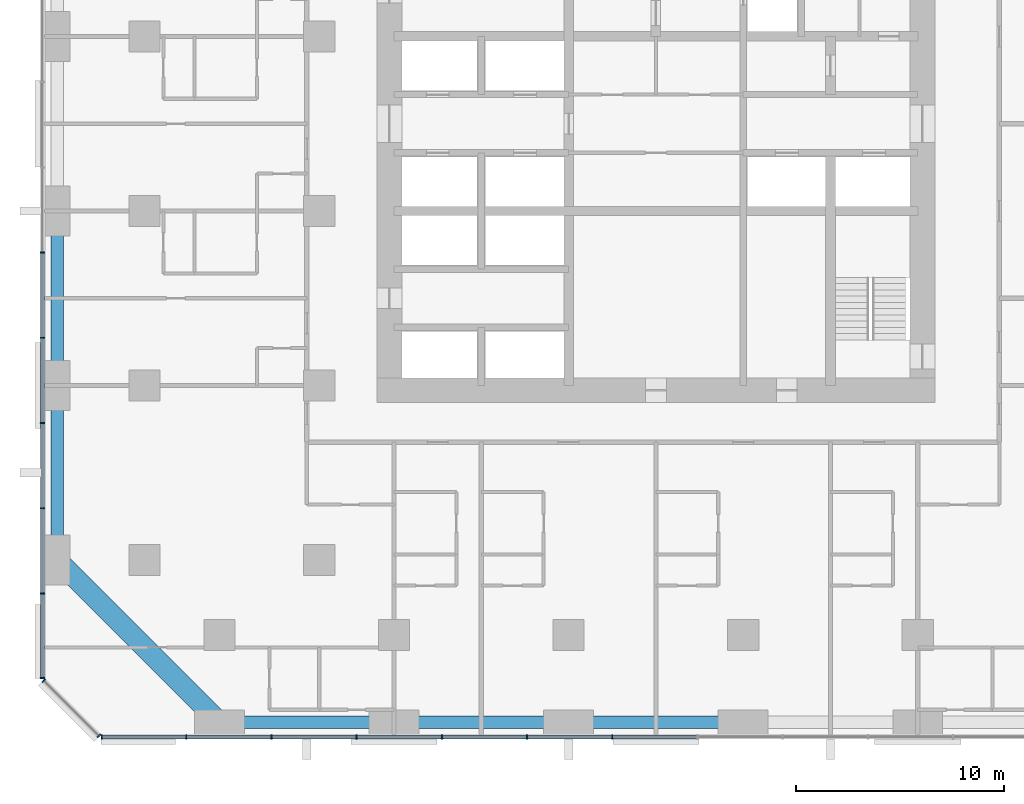
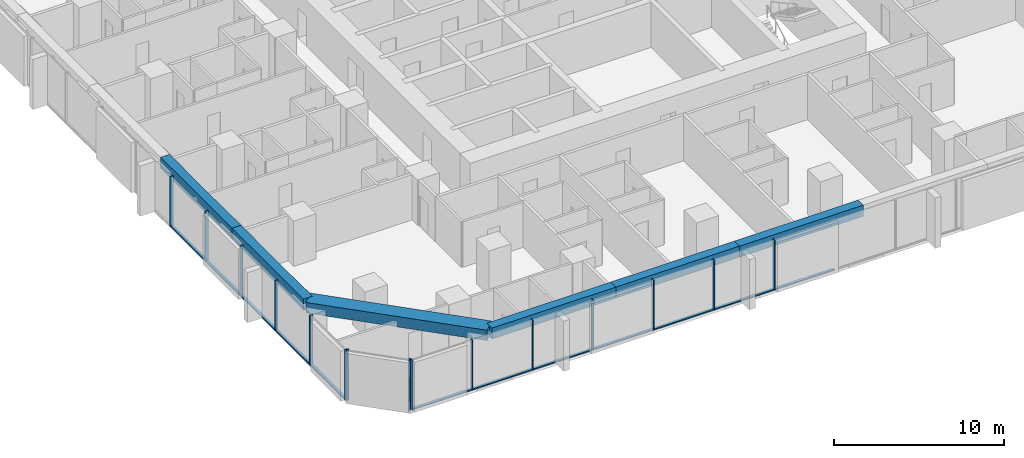
# One storey, part 2 of 14: 27 members, 6 beams, 3 elements without a shape of their own.
"""IFC4 building model written with IfcOpenShell, lengths in metres."""

from ifc_helpers import new_model, si_unit, direction, frame, origin, origin_2d, place, context, subcontext, project, spatial, rectangle, extrude, material, material_profile, profile_set, type_object, element, aggregate, save


model = new_model("IFC4")

# Units and contexts
model_context = context("Model", 3, precision=1e-05, world=origin(), true_north=direction((0.0, 1.0)))
body_context = subcontext(model_context, "Body", "Model", "MODEL_VIEW")
ifc_project = project(units=[si_unit("LENGTHUNIT", "METRE"), si_unit("AREAUNIT", "SQUARE_METRE"), si_unit("VOLUMEUNIT", "CUBIC_METRE"), si_unit("PLANEANGLEUNIT", "RADIAN"), si_unit("MASSUNIT", "GRAM", prefix="KILO")], contexts=[model_context])

# Site, building, storey
site_placement = place(None, origin())
site = spatial("IfcSite", under=ifc_project, at=site_placement, CompositionType="ELEMENT")
building_placement = place(site_placement, origin())
building = spatial("IfcBuilding", under=site, at=building_placement, Name="Dunama Terrace Hotel", CompositionType="ELEMENT")
storey_placement = place(building_placement, frame((0.0, 0.0, 104.39990234375)))
storey = spatial("IfcBuildingStorey", under=building, at=storey_placement, Name="L26", CompositionType="ELEMENT", Elevation=104.39990234375)

# Curtain wall, members
ifc_material_1 = material(Name="Aluminium curtain wall system", Category="aluminium")
curtain_wall_type = type_object("IfcCurtainWallType", Name="Unitised fritted glass wall CW-B", PredefinedType="NOTDEFINED", material=ifc_material_1)
curtain_wall_1_placement = place(storey_placement, origin())
curtain_wall_1 = element("IfcCurtainWall", 1, at=curtain_wall_1_placement, inside=storey, type_object=curtain_wall_type, Name="Unitised fritted glass wall CW-B L26", PredefinedType="NOTDEFINED")
ifc_material_2 = material(Name="Aluminium mullion", Category="aluminium")
ifc_material_profile_1 = material_profile(ifc_material_2, rectangle(XDim=0.06494140625, YDim=0.219970703125, at=origin_2d()), Name="CWB MULLION 65X220")
ifc_profile_set_1 = profile_set([ifc_material_profile_1], Name="Aluminium mullion")
member_type_1 = type_object("IfcMemberType", Name="CWB mullion 65x220", PredefinedType="MULLION", material=ifc_profile_set_1)
member_1_placement = place(storey_placement, frame((2.73291015625, -0.110107421875, 0.0), z_axis=(0.0, 0.0, 1.0), x_axis=(1.0, 0.0, 0.0)))
member_1 = element("IfcMember", 2, at=member_1_placement, type_object=member_type_1, Name="CWB mullion", PredefinedType="MULLION", context=body_context, shape_type="SweptSolid", body=[
    extrude(rectangle(XDim=0.06494140625, YDim=0.219970703125, at=origin_2d()), origin(), (0.0, 0.0, 1.0), 3.60009765625),
])
member_2_placement = place(storey_placement, frame((6.800048828125, -0.110107421875, 0.0), z_axis=(0.0, 0.0, 1.0), x_axis=(1.0, 0.0, 0.0)))
member_2 = element("IfcMember", 3, at=member_2_placement, type_object=member_type_1, Name="CWB mullion", PredefinedType="MULLION", context=body_context, shape_type="SweptSolid", body=[
    extrude(rectangle(XDim=0.06494140625, YDim=0.219970703125, at=origin_2d()), origin(), (0.0, 0.0, 1.0), 3.60009765625),
])
member_3_placement = place(storey_placement, frame((10.89990234375, -0.110107421875, 0.0), z_axis=(0.0, 0.0, 1.0), x_axis=(1.0, 0.0, 0.0)))
member_3 = element("IfcMember", 4, at=member_3_placement, type_object=member_type_1, Name="CWB mullion", PredefinedType="MULLION", context=body_context, shape_type="SweptSolid", body=[
    extrude(rectangle(XDim=0.06494140625, YDim=0.219970703125, at=origin_2d()), origin(), (0.0, 0.0, 1.0), 3.60009765625),
])
member_4_placement = place(storey_placement, frame((15.0, -0.110107421875, 0.0), z_axis=(0.0, 0.0, 1.0), x_axis=(1.0, 0.0, 0.0)))
member_4 = element("IfcMember", 5, at=member_4_placement, type_object=member_type_1, Name="CWB mullion", PredefinedType="MULLION", context=body_context, shape_type="SweptSolid", body=[
    extrude(rectangle(XDim=0.06494140625, YDim=0.219970703125, at=origin_2d()), origin(), (0.0, 0.0, 1.0), 3.60009765625),
])
member_5_placement = place(storey_placement, frame((19.10009765625, -0.110107421875, 0.0), z_axis=(0.0, 0.0, 1.0), x_axis=(1.0, 0.0, 0.0)))
member_5 = element("IfcMember", 6, at=member_5_placement, type_object=member_type_1, Name="CWB mullion", PredefinedType="MULLION", context=body_context, shape_type="SweptSolid", body=[
    extrude(rectangle(XDim=0.06494140625, YDim=0.219970703125, at=origin_2d()), origin(), (0.0, 0.0, 1.0), 3.60009765625),
])
member_6_placement = place(storey_placement, frame((23.199951171875, -0.110107421875, 0.0), z_axis=(0.0, 0.0, 1.0), x_axis=(1.0, 0.0, 0.0)))
member_6 = element("IfcMember", 7, at=member_6_placement, type_object=member_type_1, Name="CWB mullion", PredefinedType="MULLION", context=body_context, shape_type="SweptSolid", body=[
    extrude(rectangle(XDim=0.06494140625, YDim=0.219970703125, at=origin_2d()), origin(), (0.0, 0.0, 1.0), 3.60009765625),
])
member_7_placement = place(storey_placement, frame((27.300048828125, -0.110107421875, 0.0), z_axis=(0.0, 0.0, 1.0), x_axis=(1.0, 0.0, 0.0)))
member_7 = element("IfcMember", 8, at=member_7_placement, type_object=member_type_1, Name="CWB mullion", PredefinedType="MULLION", context=body_context, shape_type="SweptSolid", body=[
    extrude(rectangle(XDim=0.06494140625, YDim=0.219970703125, at=origin_2d()), origin(), (0.0, 0.0, 1.0), 3.60009765625),
])

curtain_wall_2_placement = place(storey_placement, origin())
curtain_wall_2 = element("IfcCurtainWall", 9, at=curtain_wall_2_placement, inside=storey, type_object=curtain_wall_type, Name="Unitised fritted glass wall CW-B L26", PredefinedType="NOTDEFINED")
member_8_placement = place(storey_placement, frame((-0.110107421875, 23.199951171875, 0.0), z_axis=(0.0, 0.0, 1.0), x_axis=(0.0, -1.0, 0.0)))
member_8 = element("IfcMember", 10, at=member_8_placement, type_object=member_type_1, Name="CWB mullion", PredefinedType="MULLION", context=body_context, shape_type="SweptSolid", body=[
    extrude(rectangle(XDim=0.06494140625, YDim=0.219970703125, at=origin_2d()), origin(), (0.0, 0.0, 1.0), 3.60009765625),
])
member_9_placement = place(storey_placement, frame((-0.110107421875, 19.10009765625, 0.0), z_axis=(0.0, 0.0, 1.0), x_axis=(0.0, -1.0, 0.0)))
member_9 = element("IfcMember", 11, at=member_9_placement, type_object=member_type_1, Name="CWB mullion", PredefinedType="MULLION", context=body_context, shape_type="SweptSolid", body=[
    extrude(rectangle(XDim=0.06494140625, YDim=0.219970703125, at=origin_2d()), origin(), (0.0, 0.0, 1.0), 3.60009765625),
])
member_10_placement = place(storey_placement, frame((-0.110107421875, 15.0, 0.0), z_axis=(0.0, 0.0, 1.0), x_axis=(0.0, -1.0, 0.0)))
member_10 = element("IfcMember", 12, at=member_10_placement, type_object=member_type_1, Name="CWB mullion", PredefinedType="MULLION", context=body_context, shape_type="SweptSolid", body=[
    extrude(rectangle(XDim=0.06494140625, YDim=0.219970703125, at=origin_2d()), origin(), (0.0, 0.0, 1.0), 3.60009765625),
])
member_11_placement = place(storey_placement, frame((-0.110107421875, 10.89990234375, 0.0), z_axis=(0.0, 0.0, 1.0), x_axis=(0.0, -1.0, 0.0)))
member_11 = element("IfcMember", 13, at=member_11_placement, type_object=member_type_1, Name="CWB mullion", PredefinedType="MULLION", context=body_context, shape_type="SweptSolid", body=[
    extrude(rectangle(XDim=0.06494140625, YDim=0.219970703125, at=origin_2d()), origin(), (0.0, 0.0, 1.0), 3.60009765625),
])
member_12_placement = place(storey_placement, frame((-0.110107421875, 6.800048828125, 0.0), z_axis=(0.0, 0.0, 1.0), x_axis=(0.0, -1.0, 0.0)))
member_12 = element("IfcMember", 14, at=member_12_placement, type_object=member_type_1, Name="CWB mullion", PredefinedType="MULLION", context=body_context, shape_type="SweptSolid", body=[
    extrude(rectangle(XDim=0.06494140625, YDim=0.219970703125, at=origin_2d()), origin(), (0.0, 0.0, 1.0), 3.60009765625),
])
member_13_placement = place(storey_placement, frame((-0.110107421875, 2.73291015625, 0.0), z_axis=(0.0, 0.0, 1.0), x_axis=(0.0, -1.0, 0.0)))
member_13 = element("IfcMember", 15, at=member_13_placement, type_object=member_type_1, Name="CWB mullion", PredefinedType="MULLION", context=body_context, shape_type="SweptSolid", body=[
    extrude(rectangle(XDim=0.06494140625, YDim=0.219970703125, at=origin_2d()), origin(), (0.0, 0.0, 1.0), 3.60009765625),
])

curtain_wall_3_placement = place(storey_placement, origin())
curtain_wall_3 = element("IfcCurtainWall", 16, at=curtain_wall_3_placement, inside=storey, type_object=curtain_wall_type, Name="Unitised fritted glass wall CW-B L26", PredefinedType="NOTDEFINED")
member_14_placement = place(storey_placement, frame((-0.054931640625, 2.59912109375, 0.0), z_axis=(0.0, 0.0, 1.0), x_axis=(0.707106781187, -0.707106781187, 0.0)))
member_14 = element("IfcMember", 17, at=member_14_placement, type_object=member_type_1, Name="CWB mullion", PredefinedType="MULLION", context=body_context, shape_type="SweptSolid", body=[
    extrude(rectangle(XDim=0.06494140625, YDim=0.219970703125, at=origin_2d()), origin(), (0.0, 0.0, 1.0), 3.60009765625),
])
member_15_placement = place(storey_placement, frame((2.59912109375, -0.054931640625, 0.0), z_axis=(0.0, 0.0, 1.0), x_axis=(0.707106781187, -0.707106781187, 0.0)))
member_15 = element("IfcMember", 18, at=member_15_placement, type_object=member_type_1, Name="CWB mullion", PredefinedType="MULLION", context=body_context, shape_type="SweptSolid", body=[
    extrude(rectangle(XDim=0.06494140625, YDim=0.219970703125, at=origin_2d()), origin(), (0.0, 0.0, 1.0), 3.60009765625),
])
aggregate(curtain_wall_3, [member_14, member_15])

# Member
ifc_material_3 = material(Name="Aluminium transom", Category="aluminium")
ifc_material_profile_2 = material_profile(ifc_material_3, rectangle(XDim=0.179931640625, YDim=0.080078125, at=origin_2d()), Name="CWB TRANSOM 180X80")
ifc_profile_set_2 = profile_set([ifc_material_profile_2], Name="Aluminium transom")
member_type_2 = type_object("IfcMemberType", Name="CWB transom 180x80", PredefinedType="USERDEFINED", material=ifc_profile_set_2)
member_16_placement = place(storey_placement, frame((2.764892578125, -0.110107421875, 0.0400390625), z_axis=(1.0, 0.0, 0.0), x_axis=(0.0, 1.0, 0.0)))
member_16 = element("IfcMember", 19, at=member_16_placement, type_object=member_type_2, Name="CWB transom", ObjectType="TRANSOM", PredefinedType="USERDEFINED", context=body_context, shape_type="SweptSolid", body=[
    extrude(rectangle(XDim=0.179931640625, YDim=0.080078125, at=origin_2d()), origin(), (0.0, 0.0, 1.0), 4.003173828125),
])

member_17_placement = place(storey_placement, frame((6.83203125, -0.110107421875, 0.0400390625), z_axis=(1.0, 0.0, 0.0), x_axis=(0.0, 1.0, 0.0)))
member_17 = element("IfcMember", 20, at=member_17_placement, type_object=member_type_2, Name="CWB transom", ObjectType="TRANSOM", PredefinedType="USERDEFINED", context=body_context, shape_type="SweptSolid", body=[
    extrude(rectangle(XDim=0.179931640625, YDim=0.080078125, at=origin_2d()), origin(), (0.0, 0.0, 1.0), 4.034912109375),
])

member_18_placement = place(storey_placement, frame((10.93310546875, -0.110107421875, 0.0400390625), z_axis=(1.0, 0.0, 0.0), x_axis=(0.0, 1.0, 0.0)))
member_18 = element("IfcMember", 21, at=member_18_placement, type_object=member_type_2, Name="CWB transom", ObjectType="TRANSOM", PredefinedType="USERDEFINED", context=body_context, shape_type="SweptSolid", body=[
    extrude(rectangle(XDim=0.179931640625, YDim=0.080078125, at=origin_2d()), origin(), (0.0, 0.0, 1.0), 4.033935546875),
])

member_19_placement = place(storey_placement, frame((15.031982421875, -0.110107421875, 0.0400390625), z_axis=(1.0, 0.0, 0.0), x_axis=(0.0, 1.0, 0.0)))
member_19 = element("IfcMember", 22, at=member_19_placement, type_object=member_type_2, Name="CWB transom", ObjectType="TRANSOM", PredefinedType="USERDEFINED", context=body_context, shape_type="SweptSolid", body=[
    extrude(rectangle(XDim=0.179931640625, YDim=0.080078125, at=origin_2d()), origin(), (0.0, 0.0, 1.0), 4.034912109375),
])

member_20_placement = place(storey_placement, frame((19.132080078125, -0.110107421875, 0.0400390625), z_axis=(1.0, 0.0, 0.0), x_axis=(0.0, 1.0, 0.0)))
member_20 = element("IfcMember", 23, at=member_20_placement, type_object=member_type_2, Name="CWB transom", ObjectType="TRANSOM", PredefinedType="USERDEFINED", context=body_context, shape_type="SweptSolid", body=[
    extrude(rectangle(XDim=0.179931640625, YDim=0.080078125, at=origin_2d()), origin(), (0.0, 0.0, 1.0), 4.035888671875),
])

member_21_placement = place(storey_placement, frame((23.23193359375, -0.110107421875, 0.0400390625), z_axis=(1.0, 0.0, 0.0), x_axis=(0.0, 1.0, 0.0)))
member_21 = element("IfcMember", 24, at=member_21_placement, type_object=member_type_2, Name="CWB transom", ObjectType="TRANSOM", PredefinedType="USERDEFINED", context=body_context, shape_type="SweptSolid", body=[
    extrude(rectangle(XDim=0.179931640625, YDim=0.080078125, at=origin_2d()), origin(), (0.0, 0.0, 1.0), 4.03515625),
])

member_22_placement = place(storey_placement, frame((27.33203125, -0.110107421875, 0.0400390625), z_axis=(1.0, 0.0, 0.0), x_axis=(0.0, 1.0, 0.0)))
member_22 = element("IfcMember", 25, at=member_22_placement, type_object=member_type_2, Name="CWB transom", ObjectType="TRANSOM", PredefinedType="USERDEFINED", context=body_context, shape_type="SweptSolid", body=[
    extrude(rectangle(XDim=0.179931640625, YDim=0.080078125, at=origin_2d()), origin(), (0.0, 0.0, 1.0), 4.034912109375),
])

aggregate(curtain_wall_1, [member_1, member_2, member_3, member_4, member_5, member_6, member_7, member_16, member_17, member_18, member_19, member_20, member_21, member_22])

member_23_placement = place(storey_placement, frame((-0.110107421875, 23.16796875, 0.0400390625), z_axis=(0.0, -1.0, 0.0), x_axis=(1.0, 0.0, 0.0)))
member_23 = element("IfcMember", 26, at=member_23_placement, type_object=member_type_2, Name="CWB transom", ObjectType="TRANSOM", PredefinedType="USERDEFINED", context=body_context, shape_type="SweptSolid", body=[
    extrude(rectangle(XDim=0.179931640625, YDim=0.080078125, at=origin_2d()), origin(), (0.0, 0.0, 1.0), 4.034912109375),
])

member_24_placement = place(storey_placement, frame((-0.110107421875, 19.068115234375, 0.0400390625), z_axis=(0.0, -1.0, 0.0), x_axis=(1.0, 0.0, 0.0)))
member_24 = element("IfcMember", 27, at=member_24_placement, type_object=member_type_2, Name="CWB transom", ObjectType="TRANSOM", PredefinedType="USERDEFINED", context=body_context, shape_type="SweptSolid", body=[
    extrude(rectangle(XDim=0.179931640625, YDim=0.080078125, at=origin_2d()), origin(), (0.0, 0.0, 1.0), 4.0361328125),
])

member_25_placement = place(storey_placement, frame((-0.110107421875, 14.968017578125, 0.0400390625), z_axis=(0.0, -1.0, 0.0), x_axis=(1.0, 0.0, 0.0)))
member_25 = element("IfcMember", 28, at=member_25_placement, type_object=member_type_2, Name="CWB transom", ObjectType="TRANSOM", PredefinedType="USERDEFINED", context=body_context, shape_type="SweptSolid", body=[
    extrude(rectangle(XDim=0.179931640625, YDim=0.080078125, at=origin_2d()), origin(), (0.0, 0.0, 1.0), 4.0361328125),
])

member_26_placement = place(storey_placement, frame((-0.110107421875, 10.866943359375, 0.0400390625), z_axis=(0.0, -1.0, 0.0), x_axis=(1.0, 0.0, 0.0)))
member_26 = element("IfcMember", 29, at=member_26_placement, type_object=member_type_2, Name="CWB transom", ObjectType="TRANSOM", PredefinedType="USERDEFINED", context=body_context, shape_type="SweptSolid", body=[
    extrude(rectangle(XDim=0.179931640625, YDim=0.080078125, at=origin_2d()), origin(), (0.0, 0.0, 1.0), 4.033935546875),
])

member_27_placement = place(storey_placement, frame((-0.110107421875, 6.76806640625, 0.0400390625), z_axis=(0.0, -1.0, 0.0), x_axis=(1.0, 0.0, 0.0)))
member_27 = element("IfcMember", 30, at=member_27_placement, type_object=member_type_2, Name="CWB transom", ObjectType="TRANSOM", PredefinedType="USERDEFINED", context=body_context, shape_type="SweptSolid", body=[
    extrude(rectangle(XDim=0.179931640625, YDim=0.080078125, at=origin_2d()), origin(), (0.0, 0.0, 1.0), 4.003173828125),
])

aggregate(curtain_wall_2, [member_8, member_9, member_10, member_11, member_12, member_13, member_23, member_24, member_25, member_26, member_27])

# Beams
ifc_material_4 = material(Name="Concrete C50/60", Category="concrete")
ifc_material_profile_3 = material_profile(ifc_material_4, rectangle(XDim=1.0, YDim=0.75, at=origin_2d()), Name="RC 1000x750")
ifc_profile_set_3 = profile_set([ifc_material_profile_3], Name="Concrete C50/60")
beam_type_1 = type_object("IfcBeamType", Name="Edge beam RC 1000x750", PredefinedType="SPANDREL", material=ifc_profile_set_3)
beam_1_placement = place(storey_placement, frame((8.39990234375, 0.60009765625, 3.22509765625), z_axis=(-0.707106781187, 0.707106781187, 0.0), x_axis=(-0.707106781187, -0.707106781187, 0.0)))
element("IfcBeam", 31, at=beam_1_placement, inside=storey, type_object=beam_type_1, Name="Corner edge beam under L27", PredefinedType="SPANDREL", context=body_context, shape_type="SweptSolid", body=[
    extrude(rectangle(XDim=1.0, YDim=0.75, at=origin_2d()), origin(), (0.0, 0.0, 1.0), 11.030517578125),
])
ifc_material_5 = material(Name="Concrete C40/50", Category="concrete")
ifc_material_profile_4 = material_profile(ifc_material_5, rectangle(XDim=0.60009765625, YDim=0.800048828125, at=origin_2d()), Name="RC 600x800")
ifc_profile_set_4 = profile_set([ifc_material_profile_4], Name="Concrete C40/50")
beam_type_2 = type_object("IfcBeamType", Name="Edge beam RC 600x800", PredefinedType="SPANDREL", material=ifc_profile_set_4)
beam_2_placement = place(storey_placement, frame((0.60009765625, 8.39990234375, 3.2001953125), z_axis=(0.0, 1.0, 0.0), x_axis=(-1.0, 0.0, 0.0)))
element("IfcBeam", 32, at=beam_2_placement, inside=storey, type_object=beam_type_2, Name="Edge beam under L27", PredefinedType="SPANDREL", context=body_context, shape_type="SweptSolid", body=[
    extrude(rectangle(XDim=0.60009765625, YDim=0.800048828125, at=origin_2d()), origin(), (0.0, 0.0, 1.0), 8.400146484375),
])
beam_3_placement = place(storey_placement, frame((0.60009765625, 16.800048828125, 3.2001953125), z_axis=(0.0, 1.0, 0.0), x_axis=(-1.0, 0.0, 0.0)))
element("IfcBeam", 33, at=beam_3_placement, inside=storey, type_object=beam_type_2, Name="Edge beam under L27", PredefinedType="SPANDREL", context=body_context, shape_type="SweptSolid", body=[
    extrude(rectangle(XDim=0.60009765625, YDim=0.800048828125, at=origin_2d()), origin(), (0.0, 0.0, 1.0), 8.39990234375),
])
beam_4_placement = place(storey_placement, frame((8.39990234375, 0.60009765625, 3.2001953125), z_axis=(1.0, 0.0, 0.0), x_axis=(0.0, 1.0, 0.0)))
element("IfcBeam", 34, at=beam_4_placement, inside=storey, type_object=beam_type_2, Name="Edge beam under L27", PredefinedType="SPANDREL", context=body_context, shape_type="SweptSolid", body=[
    extrude(rectangle(XDim=0.60009765625, YDim=0.800048828125, at=origin_2d()), origin(), (0.0, 0.0, 1.0), 8.400146484375),
])
beam_5_placement = place(storey_placement, frame((16.800048828125, 0.60009765625, 3.2001953125), z_axis=(1.0, 0.0, 0.0), x_axis=(0.0, 1.0, 0.0)))
element("IfcBeam", 35, at=beam_5_placement, inside=storey, type_object=beam_type_2, Name="Edge beam under L27", PredefinedType="SPANDREL", context=body_context, shape_type="SweptSolid", body=[
    extrude(rectangle(XDim=0.60009765625, YDim=0.800048828125, at=origin_2d()), origin(), (0.0, 0.0, 1.0), 8.39990234375),
])
beam_6_placement = place(storey_placement, frame((25.199951171875, 0.60009765625, 3.2001953125), z_axis=(1.0, 0.0, 0.0), x_axis=(0.0, 1.0, 0.0)))
element("IfcBeam", 36, at=beam_6_placement, inside=storey, type_object=beam_type_2, Name="Edge beam under L27", PredefinedType="SPANDREL", context=body_context, shape_type="SweptSolid", body=[
    extrude(rectangle(XDim=0.60009765625, YDim=0.800048828125, at=origin_2d()), origin(), (0.0, 0.0, 1.0), 8.400146484375),
])

save(model, "model.ifc")
